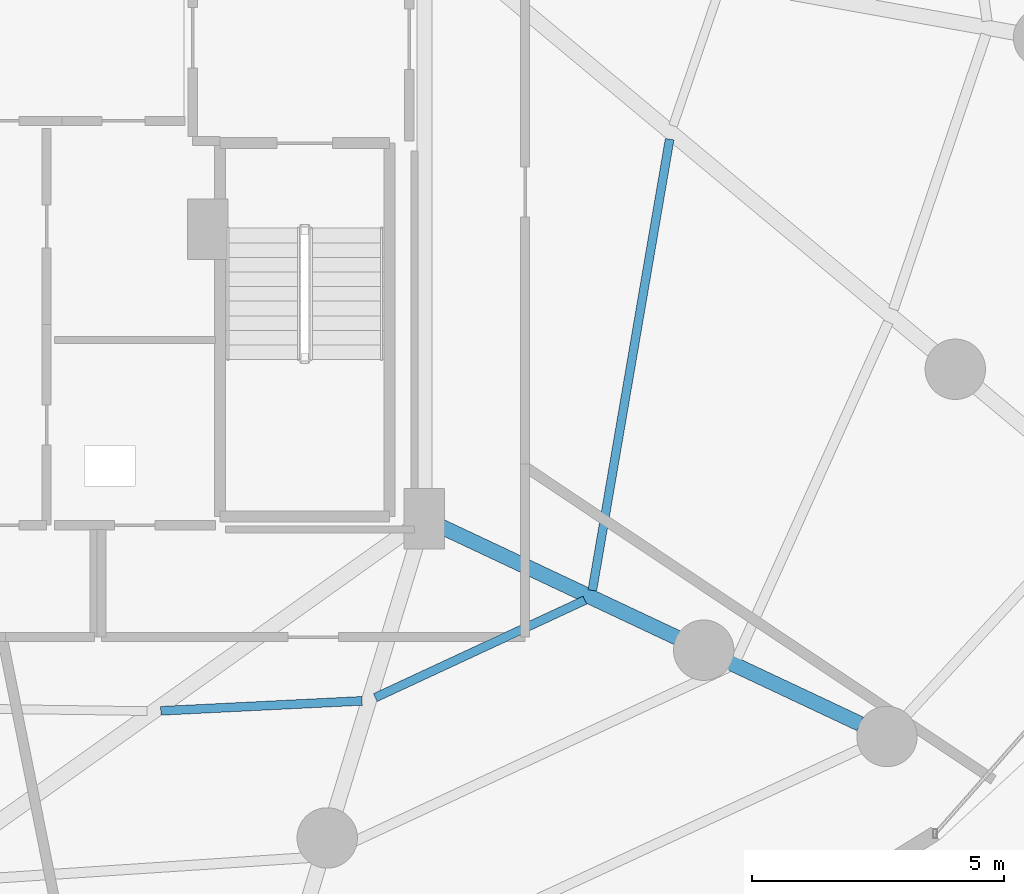
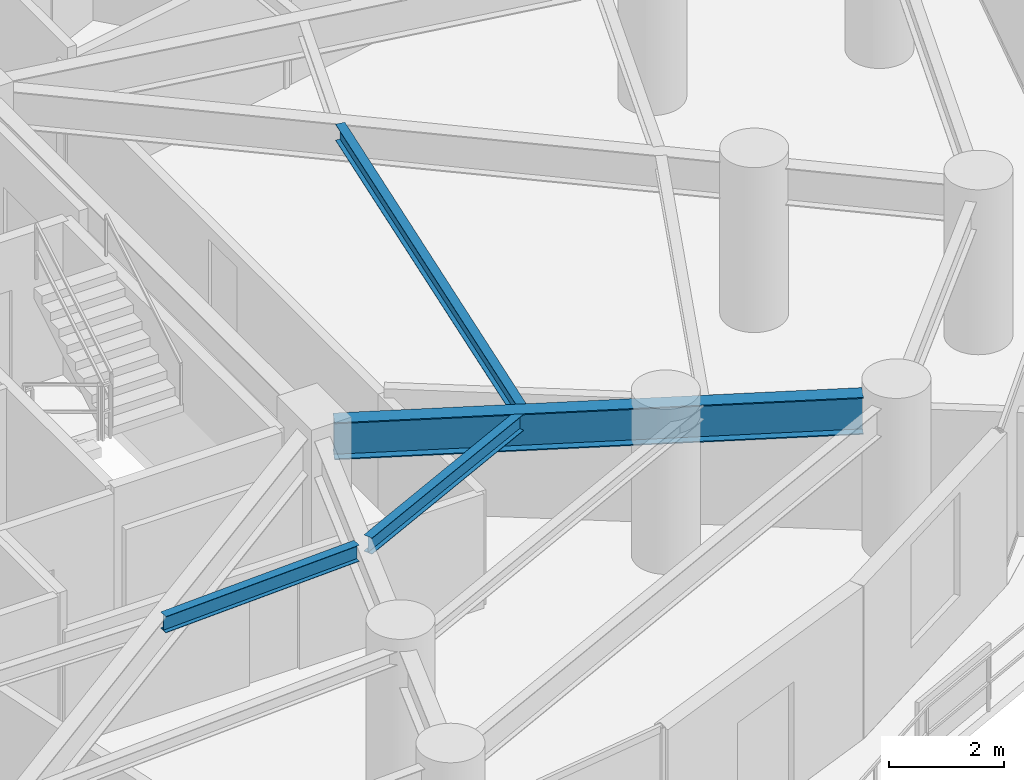
# One storey, part 13 of 34: 4 beams.
"""IFC4 building model written with IfcOpenShell, lengths in metres."""

from ifc_helpers import new_model, si_unit, direction, frame, origin, origin_2d, place, context, subcontext, project, spatial, i_section, extrude, material, material_profile, profile_set, type_object, element, save


model = new_model("IFC4")

# Units and contexts
model_context = context("Model", 3, precision=1e-05, world=origin(), true_north=direction((0.0, 1.0)))
body_context = subcontext(model_context, "Body", "Model", "MODEL_VIEW")
ifc_project = project(units=[si_unit("LENGTHUNIT", "METRE"), si_unit("AREAUNIT", "SQUARE_METRE"), si_unit("VOLUMEUNIT", "CUBIC_METRE"), si_unit("PLANEANGLEUNIT", "RADIAN"), si_unit("MASSUNIT", "GRAM", prefix="KILO")], contexts=[model_context])

# Site, building, storey
site_placement = place(None, origin())
site = spatial("IfcSite", under=ifc_project, at=site_placement, CompositionType="ELEMENT")
building_placement = place(site_placement, origin())
building = spatial("IfcBuilding", under=site, at=building_placement, Name="Vorneva Point Tower", CompositionType="ELEMENT")
storey_placement = place(building_placement, frame((0.0, 0.0, 62.5)))
storey = spatial("IfcBuildingStorey", under=building, at=storey_placement, Name="L16", CompositionType="ELEMENT", Elevation=62.5)

# Beams
ifc_material = material(Name="Steel S355", Category="steel")
ifc_material_profile_1 = material_profile(ifc_material, i_section(OverallWidth=0.300048828125, OverallDepth=0.7880859375, WebThickness=0.014404296875, FlangeThickness=0.02197265625, at=origin_2d()), Name="80Sh1")
ifc_profile_set_1 = profile_set([ifc_material_profile_1], Name="Steel S355")
beam_type_1 = type_object("IfcBeamType", Name="BM-GRD-80Sh1", PredefinedType="USERDEFINED", material=ifc_profile_set_1)
beam_1_placement = place(storey_placement, frame((57.40673828125, 12.37451171875, 2.845947265625), z_axis=(-0.904749139553, 0.425944825627, 0.0), x_axis=(-0.425944825627, -0.904749139553, 0.0)))
element("IfcBeam", 1, at=beam_1_placement, inside=storey, type_object=beam_type_1, Name="L16 Radial Primary Girder 15", ObjectType="GIRDER", PredefinedType="USERDEFINED", context=body_context, shape_type="SweptSolid", body=[
    extrude(i_section(OverallWidth=0.300048828125, OverallDepth=0.7880859375, WebThickness=0.014404296875, FlangeThickness=0.02197265625, at=origin_2d()), origin(), (0.0, 0.0, 1.0), 9.22802734375),
])
ifc_material_profile_2 = material_profile(ifc_material, i_section(OverallWidth=0.174072265625, OverallDepth=0.345947265625, WebThickness=0.006103515625, FlangeThickness=0.009033203125, at=origin_2d()), Name="35B1")
ifc_profile_set_2 = profile_set([ifc_material_profile_2], Name="Steel S355")
beam_type_2 = type_object("IfcBeamType", Name="BM-SEC-35B1", PredefinedType="BEAM", material=ifc_profile_set_2)
beam_2_placement = place(storey_placement, frame((43.515625, 12.6337890625, 3.06689453125), z_axis=(0.998772788501, 0.049526931558, 0.0), x_axis=(-0.049526931558, 0.998772788501, 0.0)))
element("IfcBeam", 2, at=beam_2_placement, inside=storey, type_object=beam_type_2, Name="L16 Secondary Floor Beam 2.13", PredefinedType="BEAM", context=body_context, shape_type="SweptSolid", body=[
    extrude(i_section(OverallWidth=0.174072265625, OverallDepth=0.345947265625, WebThickness=0.006103515625, FlangeThickness=0.009033203125, at=origin_2d()), origin(), (0.0, 0.0, 1.0), 4.002685546875),
])
beam_3_placement = place(storey_placement, frame((47.776611328125, 12.897216796875, 3.06689453125), z_axis=(0.906780239471, 0.421603602101, 0.0), x_axis=(-0.421603602101, 0.906780239471, 0.0)))
element("IfcBeam", 3, at=beam_3_placement, inside=storey, type_object=beam_type_2, Name="L16 Secondary Floor Beam 2.14", PredefinedType="BEAM", context=body_context, shape_type="SweptSolid", body=[
    extrude(i_section(OverallWidth=0.174072265625, OverallDepth=0.345947265625, WebThickness=0.006103515625, FlangeThickness=0.009033203125, at=origin_2d()), origin(), (0.0, 0.0, 1.0), 4.589111328125),
])
beam_4_placement = place(storey_placement, frame((52.086669921875, 15.026123046875, 3.06689453125), z_axis=(0.168852015021, 0.985641414016, 0.0), x_axis=(-0.985641414016, 0.168852015021, 0.0)))
element("IfcBeam", 4, at=beam_4_placement, inside=storey, type_object=beam_type_2, Name="L16 Secondary Floor Beam 2.15", PredefinedType="BEAM", context=body_context, shape_type="SweptSolid", body=[
    extrude(i_section(OverallWidth=0.174072265625, OverallDepth=0.345947265625, WebThickness=0.006103515625, FlangeThickness=0.009033203125, at=origin_2d()), origin(), (0.0, 0.0, 1.0), 9.091796875),
])

save(model, "model.ifc")
